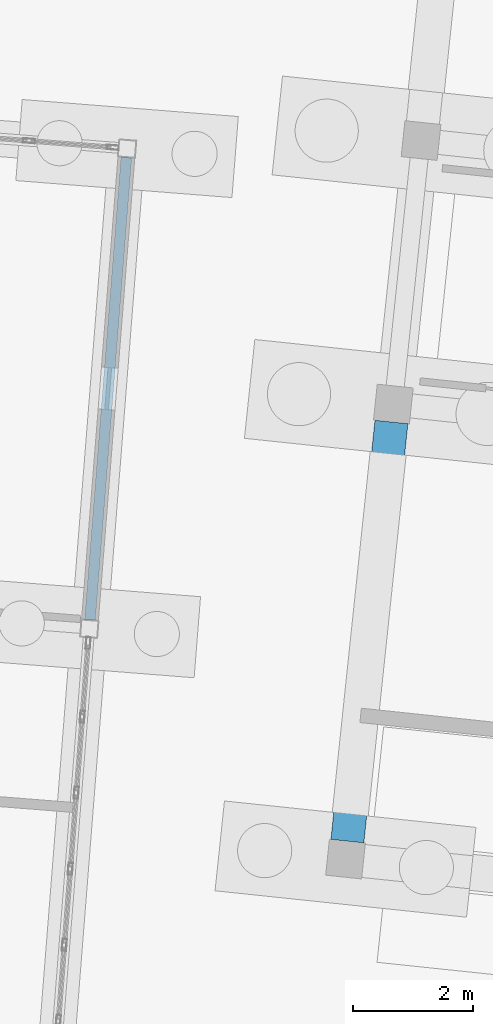
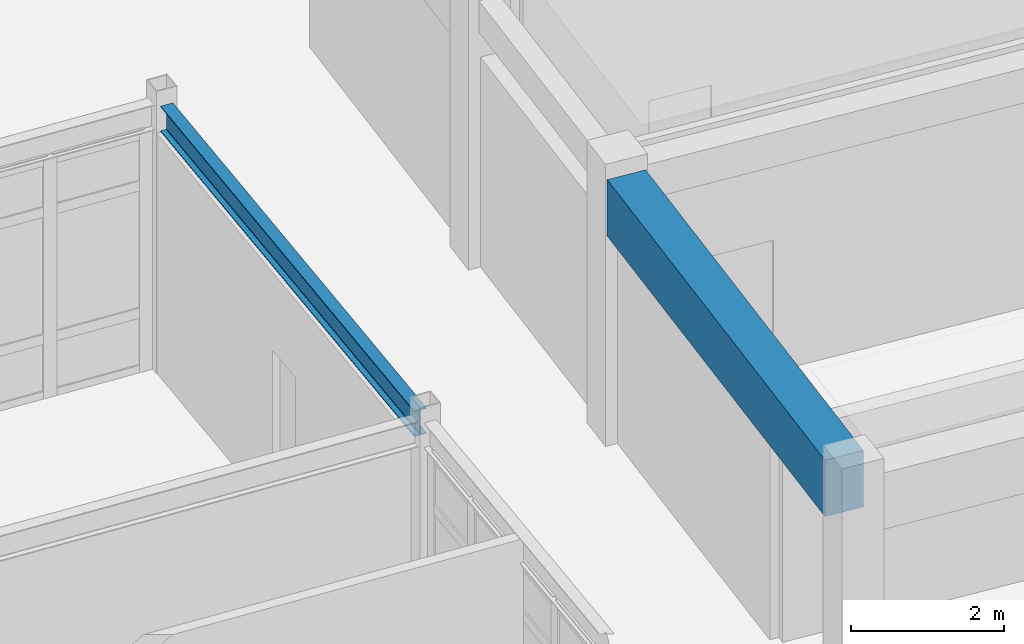
# One storey, part 82 of 154: 2 beams.
"""IFC4 building model written with IfcOpenShell, lengths in metres."""

import ifcopenshell
import ifcopenshell.guid

model = None  # the IFC model being written
_history = None  # IfcOwnerHistory: only IFC2X3 demands one
_inside = {}  # id of a spatial element -> (the spatial element, [elements in it])
_under = {}  # id of a project, library or spatial element -> (it, [spatial elements below it])
_declared = {}  # id of a project -> (the project, [libraries it declares])
_typed = {}  # id of a type object -> (the type object, [elements of that type])
_made_of = {}  # id of a material, layer set ... -> (it, [elements and type objects made of it])


def new_model(schema):
    """Start an empty IFC model of exactly this schema.

    Asked for "IFC4X3", IfcOpenShell would pick the latest addendum, in which some entities
    have other attributes; the version numbers below select the first issue.
    IFC2X3 requires an IfcOwnerHistory on every rooted entity: one is made here for all.
    """
    global model, _history
    if schema == "IFC4X3":
        model = ifcopenshell.file(schema_version=(4, 3, 0, 0))
    else:
        model = ifcopenshell.file(schema=schema)
    _inside.clear()
    _under.clear()
    _declared.clear()
    _typed.clear()
    _made_of.clear()
    _history = None
    if model.schema == "IFC2X3":
        org = make("IfcOrganization", Name="unknown")
        user = make(
            "IfcPersonAndOrganization",
            ThePerson=make("IfcPerson", FamilyName="unknown"),
            TheOrganization=org,
        )
        app = make(
            "IfcApplication",
            ApplicationDeveloper=org,
            Version="unknown",
            ApplicationFullName="unknown",
            ApplicationIdentifier="unknown",
        )
        _history = make(
            "IfcOwnerHistory",
            OwningUser=user,
            OwningApplication=app,
            ChangeAction="ADDED",
            CreationDate=0,
        )
    return model


def make(cls, **values):
    """One entity of the class cls with the attributes given. An attribute that is None is left unset."""
    return model.create_entity(
        cls, **{name: value for name, value in values.items() if value is not None}
    )


def rooted(cls, **values):
    """An entity with a GlobalId (a new one), such as an element, a storey or a relation."""
    return make(cls, GlobalId=ifcopenshell.guid.new(), OwnerHistory=_history, **values)


def si_unit(unit_type, name, prefix=None):
    """IfcSIUnit, for example si_unit("LENGTHUNIT", "METRE", prefix="MILLI")."""
    return make("IfcSIUnit", UnitType=unit_type, Prefix=prefix, Name=name)


def assignment(units):
    """IfcUnitAssignment: the units of a project."""
    return None if units is None else make("IfcUnitAssignment", Units=units)


def point(xyz):
    """IfcCartesianPoint."""
    return None if xyz is None else make("IfcCartesianPoint", Coordinates=xyz)


def direction(xyz):
    """IfcDirection."""
    return None if xyz is None else make("IfcDirection", DirectionRatios=xyz)


def frame(location, z_axis=None, x_axis=None):
    """IfcAxis2Placement3D, a coordinate frame: its origin and axes. An axis left out is left unset."""
    return make(
        "IfcAxis2Placement3D",
        Location=point(location),
        Axis=direction(z_axis),
        RefDirection=direction(x_axis),
    )


def frame_2d(location, x_axis=None):
    """IfcAxis2Placement2D, a coordinate frame in the plane: its origin and x axis."""
    return make(
        "IfcAxis2Placement2D", Location=point(location), RefDirection=direction(x_axis)
    )


def origin():
    """The frame at (0, 0, 0) with its axes left unset."""
    return frame((0.0, 0.0, 0.0))


def origin_2d():
    """The frame at (0, 0) in the plane with its x axis left unset."""
    return frame_2d((0.0, 0.0))


def place(relative_to, where):
    """IfcLocalPlacement: puts the frame where relative to a parent placement (None: the world)."""
    return make(
        "IfcLocalPlacement", PlacementRelTo=relative_to, RelativePlacement=where
    )


def context(
    kind, dimensions, precision=None, world=None, true_north=None, identifier=None
):
    """IfcGeometricRepresentationContext, for example the 3D "Model" context."""
    return make(
        "IfcGeometricRepresentationContext",
        ContextIdentifier=identifier,
        ContextType=kind,
        CoordinateSpaceDimension=dimensions,
        Precision=precision,
        WorldCoordinateSystem=world,
        TrueNorth=true_north,
    )


def subcontext(parent, identifier, kind, view, scale=None):
    """IfcGeometricRepresentationSubContext, for example "Body" below "Model"."""
    return make(
        "IfcGeometricRepresentationSubContext",
        ContextIdentifier=identifier,
        ContextType=kind,
        ParentContext=parent,
        TargetScale=scale,
        TargetView=view,
    )


def project(units=None, contexts=None):
    """IfcProject with its units and contexts."""
    return rooted(
        "IfcProject",
        Name="project",
        RepresentationContexts=contexts,
        UnitsInContext=assignment(units),
    )


def spatial(cls, under=None, at=None, **own):
    """A site, building, storey or space (cls), placed at a placement, below another one or the project."""
    s = rooted(cls, ObjectPlacement=at, **own)
    if under is not None:
        _under.setdefault(under.id(), (under, []))[1].append(s)
    return s


def profile(cls, at=None, kind="AREA", **sizes):
    """A parametric profile (cls). Its sizes go by their IFC names, for example OverallWidth=200.0."""
    return make(cls, ProfileType=kind, Position=at, **sizes)


def rectangle(**sizes):
    """IfcRectangleProfileDef."""
    return profile("IfcRectangleProfileDef", **sizes)


def i_section(**sizes):
    """IfcIShapeProfileDef."""
    return profile("IfcIShapeProfileDef", **sizes)


def extrude(swept, where, along, depth):
    """IfcExtrudedAreaSolid: the profile swept, set in the frame where, extruded along a direction by depth."""
    return make(
        "IfcExtrudedAreaSolid",
        SweptArea=swept,
        Position=where,
        ExtrudedDirection=direction(along),
        Depth=depth,
    )


def shape(context_of_items, identifier, shape_type, items):
    """IfcShapeRepresentation: the items that make up one representation, for example the "Body"."""
    return make(
        "IfcShapeRepresentation",
        ContextOfItems=context_of_items,
        RepresentationIdentifier=identifier,
        RepresentationType=shape_type,
        Items=items,
    )


def material(Name=None, Category=None):
    """IfcMaterial."""
    return make("IfcMaterial", Name=Name, Category=Category)


def material_profile(
    of_material, cross_section, Name=None, Category=None, Priority=None
):
    """IfcMaterialProfile: a cross section and its material."""
    return make(
        "IfcMaterialProfile",
        Name=Name,
        Material=of_material,
        Profile=cross_section,
        Priority=Priority,
        Category=Category,
    )


def profile_set(profiles, Name=None, composite=None):
    """IfcMaterialProfileSet."""
    return make(
        "IfcMaterialProfileSet",
        Name=Name,
        MaterialProfiles=profiles,
        CompositeProfile=composite,
    )


def made_of(thing, what):
    """Note that an element or type object is made of a material, layer set ...; save() writes the relation."""
    if what is not None:
        _made_of.setdefault(what.id(), (what, []))[1].append(thing)
    return thing


def type_object(cls, material=None, **own):
    """A type object (cls), such as IfcWallType, which elements share."""
    return made_of(rooted(cls, **own), material)


def element(
    cls,
    number,
    at=None,
    inside=None,
    cuts=None,
    type_object=None,
    material=None,
    context=None,
    identifier="Body",
    shape_type=None,
    held_by="IfcProductDefinitionShape",
    body=None,
    shapes=None,
    **own,
):
    """One element of the class cls, such as IfcWall. Its Tag is "e" and its number.

    at: its placement. inside: the storey or other place that contains it. cuts: it is an
    opening in that element (IfcRelVoidsElement). A single representation is given by context,
    identifier, shape_type and body (its items); several are given by shapes. held_by: the class
    of the entity that holds the representations. save() writes the other relations.
    """
    e = rooted(cls, Tag="e%d" % number, ObjectPlacement=at, **own)
    if body is not None:
        shapes = [shape(context, identifier, shape_type, body)]
    if shapes is not None:
        e.Representation = make(held_by, Representations=shapes)
    if inside is not None:
        _inside.setdefault(inside.id(), (inside, []))[1].append(e)
    if cuts is not None:
        rooted(
            "IfcRelVoidsElement", RelatingBuildingElement=cuts, RelatedOpeningElement=e
        )
    if type_object is not None:
        _typed.setdefault(type_object.id(), (type_object, []))[1].append(e)
    return made_of(e, material)


def aggregate(whole, parts):
    """IfcRelAggregates: a whole, such as a stair, and the parts it consists of."""
    return rooted("IfcRelAggregates", RelatingObject=whole, RelatedObjects=parts)


def save(model, path):
    """Write the relations noted so far, then the file.

    IfcRelAggregates (storeys below a building ...), IfcRelContainedInSpatialStructure (elements
    in a storey), IfcRelDefinesByType, IfcRelAssociatesMaterial and IfcRelDeclares: one each for
    every whole, place, type object, material and project.
    """
    for whole, parts in _under.values():
        aggregate(whole, parts)
    for where, things in _inside.values():
        rooted(
            "IfcRelContainedInSpatialStructure",
            RelatedElements=things,
            RelatingStructure=where,
        )
    for kind, things in _typed.values():
        rooted("IfcRelDefinesByType", RelatedObjects=things, RelatingType=kind)
    for what, things in _made_of.values():
        rooted("IfcRelAssociatesMaterial", RelatedObjects=things, RelatingMaterial=what)
    for by, libraries in _declared.values():
        rooted("IfcRelDeclares", RelatingContext=by, RelatedDefinitions=libraries)
    model.write(path)


model = new_model("IFC4")

# Units and contexts
model_context = context("Model", 3, precision=1e-05, world=origin(), true_north=direction((0.0, 1.0)))
body_context = subcontext(model_context, "Body", "Model", "MODEL_VIEW")
ifc_project = project(units=[si_unit("LENGTHUNIT", "METRE"), si_unit("AREAUNIT", "SQUARE_METRE"), si_unit("VOLUMEUNIT", "CUBIC_METRE"), si_unit("PLANEANGLEUNIT", "RADIAN"), si_unit("MASSUNIT", "GRAM", prefix="KILO")], contexts=[model_context])

# Site, building, storey
site_placement = place(None, origin())
site = spatial("IfcSite", under=ifc_project, at=site_placement, CompositionType="ELEMENT")
building_placement = place(site_placement, origin())
building = spatial("IfcBuilding", under=site, at=building_placement, Name="Kestramere Prow Commons", CompositionType="ELEMENT")
storey_placement = place(building_placement, origin())
storey = spatial("IfcBuildingStorey", under=building, at=storey_placement, Name="L00", CompositionType="ELEMENT", Elevation=0.0)

# Beams
ifc_material_1 = material(Name="Steel S355JR", Category="steel")
ifc_material_profile_1 = material_profile(ifc_material_1, i_section(OverallWidth=0.177978515625, OverallDepth=0.406494140625, WebThickness=0.0078125, FlangeThickness=0.0126953125, FilletRadius=0.01025390625, at=origin_2d()), Name="UB 406x178x60")
ifc_profile_set_1 = profile_set([ifc_material_profile_1], Name="Steel S355JR")
beam_type_1 = type_object("IfcBeamType", Name="BM-NR-01 UB 406x178x60 (EX)", PredefinedType="BEAM", material=ifc_profile_set_1)
beam_1_placement = place(storey_placement, frame((105.756103515625, 98.775634765625, 4.046875), z_axis=(0.078473620365, 0.996916190513, 0.0), x_axis=(-0.996916190513, 0.078473620365, 0.0)))
element("IfcBeam", 1, at=beam_1_placement, inside=storey, type_object=beam_type_1, Name="Nursery L00 Beam V 5-3", PredefinedType="BEAM", context=body_context, shape_type="SweptSolid", body=[
    extrude(i_section(OverallWidth=0.177978515625, OverallDepth=0.406494140625, WebThickness=0.0078125, FlangeThickness=0.0126953125, FilletRadius=0.01025390625, at=origin_2d()), origin(), (0.0, 0.0, 1.0), 7.699951171875),
])
ifc_material_2 = material(Name="Precast concrete C40/50", Category="concrete")
ifc_material_profile_2 = material_profile(ifc_material_2, rectangle(XDim=0.550048828125, YDim=0.89990234375, at=origin_2d()), Name="PC-TG 550x900")
ifc_profile_set_2 = profile_set([ifc_material_profile_2], Name="Precast concrete C40/50")
beam_type_2 = type_object("IfcBeamType", Name="TG-01 PC-TG 550x900 (EX)", PredefinedType="BEAM", material=ifc_profile_set_2)
beam_2_placement = place(storey_placement, frame((110.03125, 95.098388671875, 3.800048828125), z_axis=(0.104526832686, 0.994522066748, 0.0), x_axis=(-0.994522066748, 0.104526832686, 0.0)))
element("IfcBeam", 2, at=beam_2_placement, inside=storey, type_object=beam_type_2, Name="Block B L00 S Colonnade Transfer Girder 1", PredefinedType="BEAM", context=body_context, shape_type="SweptSolid", body=[
    extrude(rectangle(XDim=0.550048828125, YDim=0.89990234375, at=origin_2d()), origin(), (0.0, 0.0, 1.0), 7.0),
])

save(model, "model.ifc")
